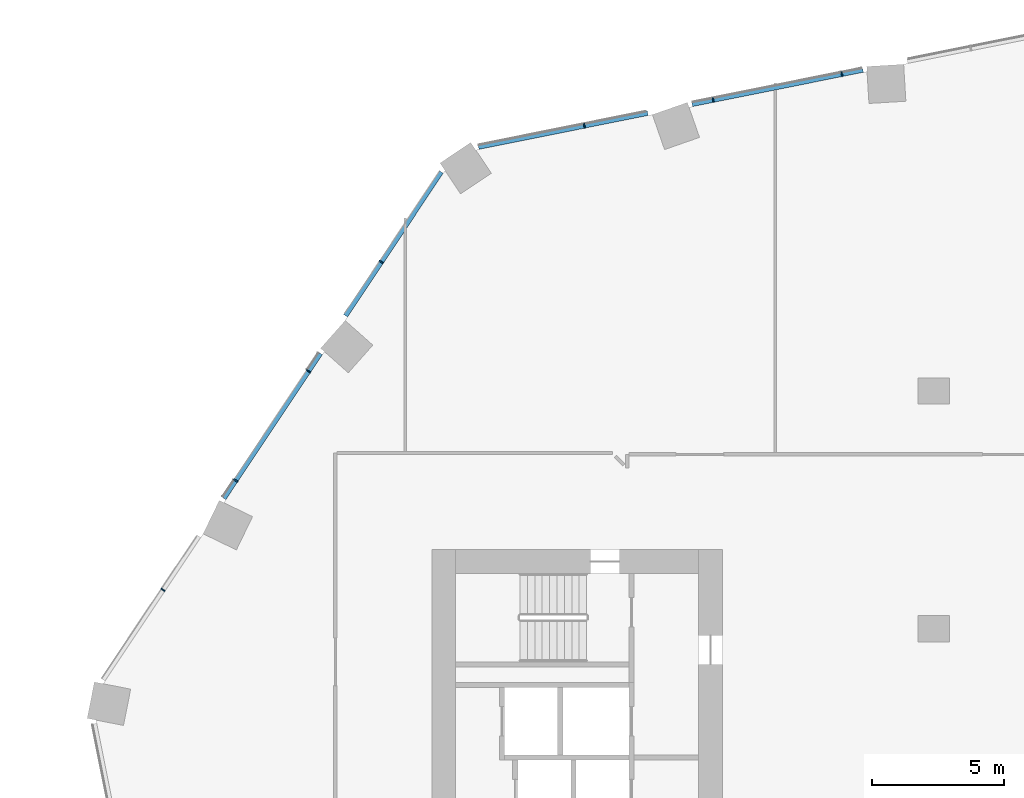
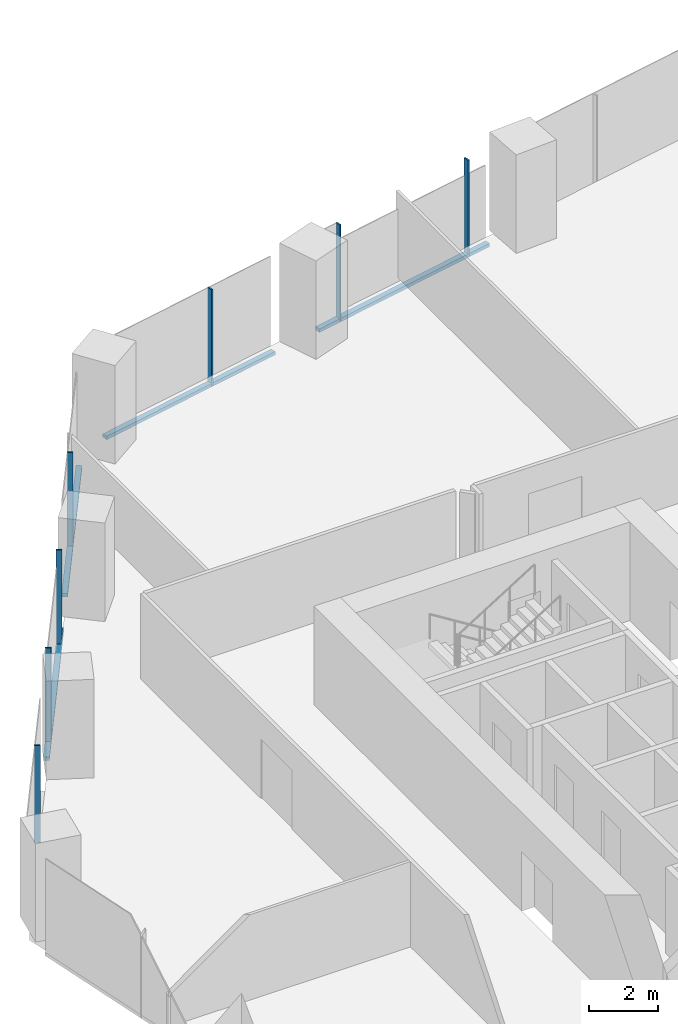
# One storey, part 13 of 38: 11 members, 2 elements without a shape of their own.
"""IFC4 building model written with IfcOpenShell, lengths in metres."""

from ifc_helpers import new_model, si_unit, direction, frame, origin, origin_2d, place, context, subcontext, project, spatial, rectangle, extrude, material, material_profile, profile_set, type_object, element, aggregate, save


model = new_model("IFC4")

# Units and contexts
model_context = context("Model", 3, precision=1e-05, world=origin(), true_north=direction((0.0, 1.0)))
body_context = subcontext(model_context, "Body", "Model", "MODEL_VIEW")
ifc_project = project(units=[si_unit("LENGTHUNIT", "METRE"), si_unit("AREAUNIT", "SQUARE_METRE"), si_unit("VOLUMEUNIT", "CUBIC_METRE"), si_unit("PLANEANGLEUNIT", "RADIAN"), si_unit("MASSUNIT", "GRAM", prefix="KILO")], contexts=[model_context])

# Site, building, storey
site_placement = place(None, origin())
site = spatial("IfcSite", under=ifc_project, at=site_placement, CompositionType="ELEMENT")
building_placement = place(site_placement, origin())
building = spatial("IfcBuilding", under=site, at=building_placement, Name="Orlundy Tower", CompositionType="ELEMENT")
storey_placement = place(building_placement, frame((0.0, 0.0, 72.800048828125)))
storey = spatial("IfcBuildingStorey", under=building, at=storey_placement, Name="L17", CompositionType="ELEMENT", Elevation=72.800048828125)

# Curtain wall, members
ifc_material_1 = material(Name="Aluminium bronze anodised", Category="aluminium")
curtain_wall_type = type_object("IfcCurtainWallType", Name="CW1 wall", PredefinedType="NOTDEFINED", material=ifc_material_1)
curtain_wall_1_placement = place(storey_placement, origin())
curtain_wall_1 = element("IfcCurtainWall", 1, at=curtain_wall_1_placement, inside=storey, type_object=curtain_wall_type, Name="CW1 run 014", PredefinedType="NOTDEFINED")
ifc_material_2 = material(Name="Aluminium bronze anodised", Category="aluminium")
ifc_material_profile_1 = material_profile(ifc_material_2, rectangle(XDim=0.179931640625, YDim=0.050048828125, at=origin_2d()), Name="CW1 mullion 50x180")
ifc_profile_set_1 = profile_set([ifc_material_profile_1], Name="Aluminium bronze anodised")
member_type_1 = type_object("IfcMemberType", Name="CW1 mullion 50x180", PredefinedType="MULLION", material=ifc_profile_set_1)
member_1_placement = place(storey_placement, frame((-29.176513671875, 10.4755859375, -0.400146484375), z_axis=(0.0, 0.0, 1.0), x_axis=(-0.832279269513, 0.554356579774, 0.0)))
member_1 = element("IfcMember", 2, at=member_1_placement, type_object=member_type_1, Name="CW1 mullion 35", PredefinedType="MULLION", context=body_context, shape_type="SweptSolid", body=[
    extrude(rectangle(XDim=0.179931640625, YDim=0.050048828125, at=origin_2d()), origin(), (0.0, 0.0, 1.0), 3.4501953125),
])
member_2_placement = place(storey_placement, frame((-26.421142578125, 14.612548828125, -0.400146484375), z_axis=(0.0, 0.0, 1.0), x_axis=(-0.832279269513, 0.554356579774, 0.0)))
member_2 = element("IfcMember", 3, at=member_2_placement, type_object=member_type_1, Name="CW1 mullion 36", PredefinedType="MULLION", context=body_context, shape_type="SweptSolid", body=[
    extrude(rectangle(XDim=0.179931640625, YDim=0.050048828125, at=origin_2d()), origin(), (0.0, 0.0, 1.0), 3.4501953125),
])
member_3_placement = place(storey_placement, frame((-23.665771484375, 18.749267578125, -0.400146484375), z_axis=(0.0, 0.0, 1.0), x_axis=(-0.832279269513, 0.554356579774, 0.0)))
member_3 = element("IfcMember", 4, at=member_3_placement, type_object=member_type_1, Name="CW1 mullion 37", PredefinedType="MULLION", context=body_context, shape_type="SweptSolid", body=[
    extrude(rectangle(XDim=0.179931640625, YDim=0.050048828125, at=origin_2d()), origin(), (0.0, 0.0, 1.0), 3.4501953125),
])
member_4_placement = place(storey_placement, frame((-20.910400390625, 22.885986328125, -0.400146484375), z_axis=(0.0, 0.0, 1.0), x_axis=(-0.832279269513, 0.554356579774, 0.0)))
member_4 = element("IfcMember", 5, at=member_4_placement, type_object=member_type_1, Name="CW1 mullion 38", PredefinedType="MULLION", context=body_context, shape_type="SweptSolid", body=[
    extrude(rectangle(XDim=0.179931640625, YDim=0.050048828125, at=origin_2d()), origin(), (0.0, 0.0, 1.0), 3.4501953125),
])

curtain_wall_2_placement = place(storey_placement, origin())
curtain_wall_2 = element("IfcCurtainWall", 6, at=curtain_wall_2_placement, inside=storey, type_object=curtain_wall_type, Name="CW1 run 015", PredefinedType="NOTDEFINED")
member_5_placement = place(storey_placement, frame((-13.223876953125, 28.0380859375, -0.400146484375), z_axis=(0.0, 0.0, 1.0), x_axis=(-0.196510737775, 0.980501672583, 0.0)))
member_5 = element("IfcMember", 7, at=member_5_placement, type_object=member_type_1, Name="CW1 mullion 40", PredefinedType="MULLION", context=body_context, shape_type="SweptSolid", body=[
    extrude(rectangle(XDim=0.179931640625, YDim=0.050048828125, at=origin_2d()), origin(), (0.0, 0.0, 1.0), 3.4501953125),
])
member_6_placement = place(storey_placement, frame((-8.35009765625, 29.014892578125, -0.400146484375), z_axis=(0.0, 0.0, 1.0), x_axis=(-0.196510737775, 0.980501672583, 0.0)))
member_6 = element("IfcMember", 8, at=member_6_placement, type_object=member_type_1, Name="CW1 mullion 41", PredefinedType="MULLION", context=body_context, shape_type="SweptSolid", body=[
    extrude(rectangle(XDim=0.179931640625, YDim=0.050048828125, at=origin_2d()), origin(), (0.0, 0.0, 1.0), 3.4501953125),
])
member_7_placement = place(storey_placement, frame((-3.476318359375, 29.99169921875, -0.400146484375), z_axis=(0.0, 0.0, 1.0), x_axis=(-0.196510737775, 0.980501672583, 0.0)))
member_7 = element("IfcMember", 9, at=member_7_placement, type_object=member_type_1, Name="CW1 mullion 42", PredefinedType="MULLION", context=body_context, shape_type="SweptSolid", body=[
    extrude(rectangle(XDim=0.179931640625, YDim=0.050048828125, at=origin_2d()), origin(), (0.0, 0.0, 1.0), 3.4501953125),
])

# Member
ifc_material_3 = material(Name="Aluminium bronze anodised", Category="aluminium")
ifc_material_profile_2 = material_profile(ifc_material_3, rectangle(XDim=0.179931640625, YDim=0.1201171875, at=origin_2d()), Name="CW1 transom 180x120")
ifc_profile_set_2 = profile_set([ifc_material_profile_2], Name="Aluminium bronze anodised")
member_type_2 = type_object("IfcMemberType", Name="CW1 transom 180x120", PredefinedType="USERDEFINED", material=ifc_profile_set_2)
member_8_placement = place(storey_placement, frame((-26.87060546875, 13.9375, -0.340087890625), z_axis=(0.554332670304, 0.832295194407, 0.0), x_axis=(-0.832295194407, 0.554332670304, 0.0)))
member_8 = element("IfcMember", 10, at=member_8_placement, type_object=member_type_2, Name="CW1 transom", ObjectType="TRANSOM", PredefinedType="USERDEFINED", context=body_context, shape_type="SweptSolid", body=[
    extrude(rectangle(XDim=0.179931640625, YDim=0.1201171875, at=origin_2d()), origin(), (0.0, 0.0, 1.0), 6.5927734375),
])

member_9_placement = place(storey_placement, frame((-22.2646484375, 20.852783203125, -0.340087890625), z_axis=(0.55436374244, 0.832274498629, 0.0), x_axis=(-0.832274498629, 0.55436374244, 0.0)))
member_9 = element("IfcMember", 11, at=member_9_placement, type_object=member_type_2, Name="CW1 transom", ObjectType="TRANSOM", PredefinedType="USERDEFINED", context=body_context, shape_type="SweptSolid", body=[
    extrude(rectangle(XDim=0.179931640625, YDim=0.1201171875, at=origin_2d()), origin(), (0.0, 0.0, 1.0), 6.531494140625),
])

aggregate(curtain_wall_1, [member_1, member_2, member_3, member_4, member_8, member_9])

member_10_placement = place(storey_placement, frame((-17.2314453125, 27.23486328125, -0.340087890625), z_axis=(0.98050439315, 0.196497162863, 0.0), x_axis=(-0.196497162863, 0.98050439315, 0.0)))
member_10 = element("IfcMember", 12, at=member_10_placement, type_object=member_type_2, Name="CW1 transom", ObjectType="TRANSOM", PredefinedType="USERDEFINED", context=body_context, shape_type="SweptSolid", body=[
    extrude(rectangle(XDim=0.179931640625, YDim=0.1201171875, at=origin_2d()), origin(), (0.0, 0.0, 1.0), 6.5302734375),
])

member_11_placement = place(storey_placement, frame((-9.145751953125, 28.85546875, -0.340087890625), z_axis=(0.980505128338, 0.196493494301, 0.0), x_axis=(-0.196493494301, 0.980505128338, 0.0)))
member_11 = element("IfcMember", 13, at=member_11_placement, type_object=member_type_2, Name="CW1 transom", ObjectType="TRANSOM", PredefinedType="USERDEFINED", context=body_context, shape_type="SweptSolid", body=[
    extrude(rectangle(XDim=0.179931640625, YDim=0.1201171875, at=origin_2d()), origin(), (0.0, 0.0, 1.0), 6.593994140625),
])

aggregate(curtain_wall_2, [member_5, member_6, member_7, member_10, member_11])

save(model, "model.ifc")
